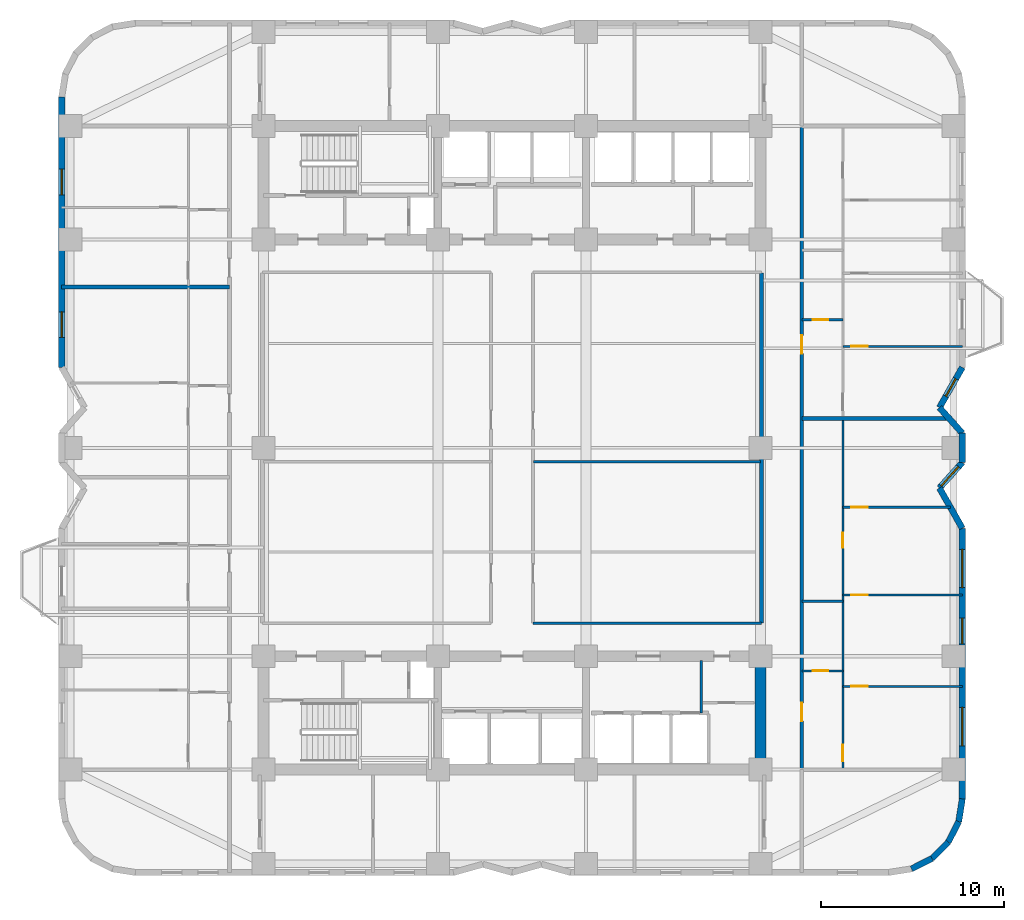
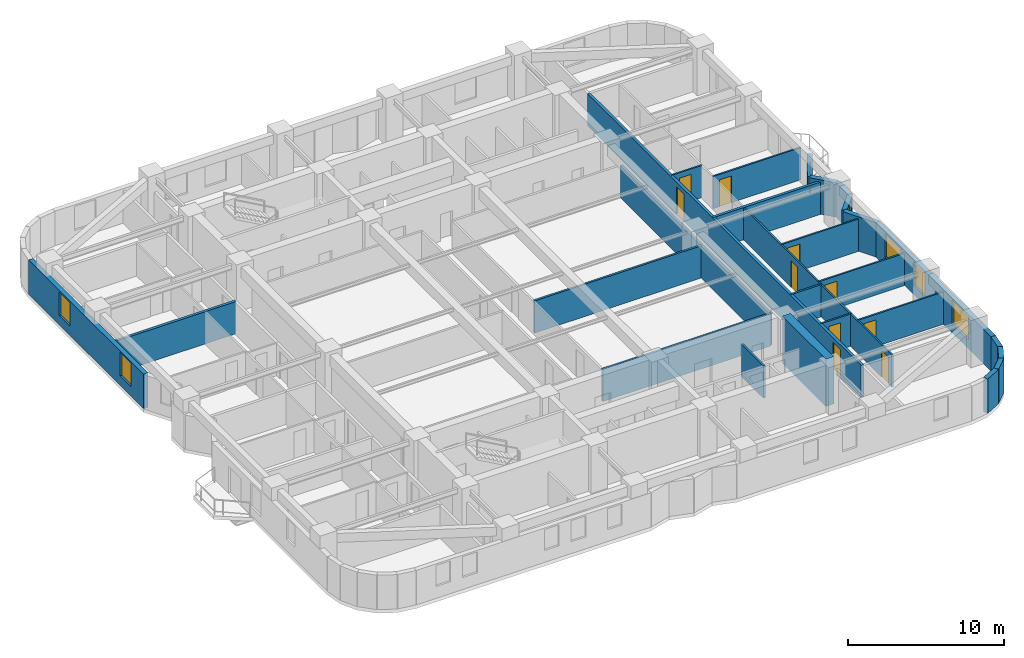
# One storey, part 5 of 9: 27 walls, 10 doors, 7 windows, 17 openings.
"""IFC4 building model written with IfcOpenShell, lengths in metres."""

from ifc_helpers import new_model, si_unit, direction, frame, frame_2d, origin, place, context, subcontext, project, spatial, rectangle, extrude, material, layer, layer_set, type_object, element, fill, save


model = new_model("IFC4")

# Units and contexts
model_context = context("Model", 3, precision=1e-05, world=origin(), true_north=direction((0.0, 1.0)))
body_context = subcontext(model_context, "Body", "Model", "MODEL_VIEW")
ifc_project = project(units=[si_unit("LENGTHUNIT", "METRE"), si_unit("AREAUNIT", "SQUARE_METRE"), si_unit("VOLUMEUNIT", "CUBIC_METRE"), si_unit("PLANEANGLEUNIT", "RADIAN"), si_unit("MASSUNIT", "GRAM", prefix="KILO")], contexts=[model_context])

# Site, building, storey
site_placement = place(None, origin())
site = spatial("IfcSite", under=ifc_project, at=site_placement, CompositionType="ELEMENT")
building_placement = place(site_placement, origin())
building = spatial("IfcBuilding", under=site, at=building_placement, Name="Svetorya Sky Lyceum", CompositionType="ELEMENT")
storey_placement = place(building_placement, frame((0.0, 0.0, 54.699951171875)))
storey = spatial("IfcBuildingStorey", under=building, at=storey_placement, Name="L13", CompositionType="ELEMENT", Elevation=54.699951171875)

# Walls
ifc_material_1 = material(Name="Concrete C60/75", Category="concrete")
ifc_layer_1 = layer(ifc_material_1, 0.60009765625)
ifc_layer_set_1 = layer_set([ifc_layer_1], Name="Concrete C60/75")
wall_type_1 = type_object("IfcWallType", Name="WL-CORE-600", PredefinedType="SHEAR", material=ifc_layer_set_1)
wall_1_placement = place(storey_placement, frame((52.800048828125, 10.89990234375, 0.0), z_axis=(0.0, 0.0, 1.0), x_axis=(0.0, 1.0, 0.0)))
element("IfcWall", 1, at=wall_1_placement, inside=storey, type_object=wall_type_1, Name="L13 SC East Core Shear Wall", PredefinedType="SHEAR", context=body_context, shape_type="SweptSolid", body=[
    extrude(rectangle(XDim=5.60009765625, YDim=0.60009765625, at=frame_2d((2.800048828125, 0.0))), origin(), (0.0, 0.0, 1.0), 3.699951171875),
])
ifc_material_2 = material(Name="Putilovo limestone rainscreen on autoclaved cellular masonry", Category="masonry")
ifc_layer_2 = layer(ifc_material_2, 0.340087890625)
ifc_layer_set_2 = layer_set([ifc_layer_2], Name="Putilovo limestone rainscreen on autoclaved cellular masonry")
wall_type_2 = type_object("IfcWallType", Name="WL-EXT-340", PredefinedType="SOLIDWALL", material=ifc_layer_set_2)
for number, where, z_axis, x_axis, name in (
    (2, (61.04541015625, 5.167236328125, 0.0), (0.0, 0.0, 1.0), (0.890953769915, 0.454094020963, 0.0), "L13 Limestone Exterior Wall 13M"),
    (3, (62.168701171875, 5.73974609375, 0.0), (0.0, 0.0, 1.0), (0.707203598708, 0.707009950407, 0.0), "L13 Limestone Exterior Wall 14M"),
):
    element("IfcWall", number, at=place(storey_placement, frame(where, z_axis=z_axis, x_axis=x_axis)), inside=storey, type_object=wall_type_2, Name=name, PredefinedType="SOLIDWALL", context=body_context, shape_type="SweptSolid", body=[
        extrude(rectangle(XDim=1.2607421875, YDim=0.340087890625, at=frame_2d((0.63037109375, 0.0))), origin(), (0.0, 0.0, 1.0), 2.699951171875),
    ])
for number, where, z_axis, x_axis, name in (
    (4, (63.060302734375, 6.631103515625, 0.0), (0.0, 0.0, 1.0), (0.454015689056, 0.890993689142, 0.0), "L13 Limestone Exterior Wall 15M"),
    (5, (63.6328125, 7.754638671875, 0.0), (0.0, 0.0, 1.0), (0.15644975923, 0.987685918112, 0.0), "L13 Limestone Exterior Wall 16M"),
):
    element("IfcWall", number, at=place(storey_placement, frame(where, z_axis=z_axis, x_axis=x_axis)), inside=storey, type_object=wall_type_2, Name=name, PredefinedType="SOLIDWALL", context=body_context, shape_type="SweptSolid", body=[
        extrude(rectangle(XDim=1.260986328125, YDim=0.340087890625, at=frame_2d((0.63037109375, 0.0))), origin(), (0.0, 0.0, 1.0), 2.699951171875),
    ])

# Wall, openings, windows
wall_2_placement = place(storey_placement, frame((63.830078125, 9.0, 0.0), z_axis=(0.0, 0.0, 1.0), x_axis=(0.0, 1.0, 0.0)))
wall_2 = element("IfcWall", 6, at=wall_2_placement, inside=storey, type_object=wall_type_2, Name="L13 Limestone Exterior Wall 17M", PredefinedType="SOLIDWALL", context=body_context, shape_type="SweptSolid", body=[
    extrude(rectangle(XDim=14.800048828125, YDim=0.340087890625, at=frame_2d((7.39990234375, 0.0))), origin(), (0.0, 0.0, 1.0), 2.699951171875),
])
opening_1_placement = place(wall_2_placement, frame((2.89990234375, 0.0, 0.679931640625)))
opening_1 = element("IfcOpeningElement", 7, at=opening_1_placement, cuts=wall_2, Name="Opening W-R0", PredefinedType="OPENING", context=body_context, shape_type="SweptSolid", body=[
    extrude(rectangle(XDim=2.10009765625, YDim=1.89990234375, at=frame_2d((1.050048828125, 0.949951171875))), frame((0.0, 0.179931640625, 0.0), z_axis=(0.0, -1.0, 0.0), x_axis=(1.0, 0.0, 0.0)), (0.0, 0.0, 1.0), 0.360107421875),
])
opening_2_placement = place(wall_2_placement, frame((8.47998046875, 0.0, 0.68994140625)))
opening_2 = element("IfcOpeningElement", 8, at=opening_2_placement, cuts=wall_2, Name="Opening W-R2", PredefinedType="OPENING", context=body_context, shape_type="SweptSolid", body=[
    extrude(rectangle(XDim=1.39990234375, YDim=1.85009765625, at=frame_2d((0.699951171875, 0.925048828125))), frame((0.0, 0.179931640625, 0.0), z_axis=(0.0, -1.0, 0.0), x_axis=(1.0, 0.0, 0.0)), (0.0, 0.0, 1.0), 0.360107421875),
])
opening_3_placement = place(wall_2_placement, frame((11.550048828125, 0.0, 0.679931640625)))
opening_3 = element("IfcOpeningElement", 9, at=opening_3_placement, cuts=wall_2, Name="Opening W-R0", PredefinedType="OPENING", context=body_context, shape_type="SweptSolid", body=[
    extrude(rectangle(XDim=2.10009765625, YDim=1.89990234375, at=frame_2d((1.050048828125, 0.949951171875))), frame((0.0, 0.179931640625, 0.0), z_axis=(0.0, -1.0, 0.0), x_axis=(1.0, 0.0, 0.0)), (0.0, 0.0, 1.0), 0.360107421875),
])
ifc_material_3 = material(Name="Thermally broken aluminium frame with triple low-E glazing", Category="aluminium")
window_type_1 = type_object("IfcWindowType", Name="WN-RES-140", PartitioningType="SINGLE_PANEL", PredefinedType="WINDOW", material=ifc_material_3)
window_1_placement = place(opening_2_placement, origin())
window_1 = element("IfcWindow", 10, at=window_1_placement, inside=storey, type_object=window_type_1, Name="L13 Facade Window W-R2.17M.3", OverallHeight=1.85009765625, OverallWidth=1.39990234375, PartitioningType="SINGLE_PANEL", PredefinedType="WINDOW", context=body_context, shape_type="SweptSolid", body=[
    extrude(rectangle(XDim=1.39990234375, YDim=1.85009765625, at=frame_2d((0.699951171875, 0.925048828125))), frame((0.0, 0.030029296875, 0.0), z_axis=(0.0, -1.0, 0.0), x_axis=(1.0, 0.0, 0.0)), (0.0, 0.0, 1.0), 0.06005859375),
])
fill(opening_2, window_1)
window_type_2 = type_object("IfcWindowType", Name="WN-RES-210", PartitioningType="TRIPLE_PANEL_VERTICAL", PredefinedType="WINDOW", material=ifc_material_3)
window_2_placement = place(opening_1_placement, origin())
window_2 = element("IfcWindow", 11, at=window_2_placement, inside=storey, type_object=window_type_2, Name="L13 Facade Window W-R0.17M.1", OverallHeight=1.89990234375, OverallWidth=2.10009765625, PartitioningType="SINGLE_PANEL", PredefinedType="WINDOW", context=body_context, shape_type="SweptSolid", body=[
    extrude(rectangle(XDim=2.10009765625, YDim=1.89990234375, at=frame_2d((1.050048828125, 0.949951171875))), frame((0.0, 0.030029296875, 0.0), z_axis=(0.0, -1.0, 0.0), x_axis=(1.0, 0.0, 0.0)), (0.0, 0.0, 1.0), 0.06005859375),
])
fill(opening_1, window_2)
window_3_placement = place(opening_3_placement, origin())
window_3 = element("IfcWindow", 12, at=window_3_placement, inside=storey, type_object=window_type_2, Name="L13 Facade Window W-R0.17M.2", OverallHeight=1.89990234375, OverallWidth=2.10009765625, PartitioningType="SINGLE_PANEL", PredefinedType="WINDOW", context=body_context, shape_type="SweptSolid", body=[
    extrude(rectangle(XDim=2.10009765625, YDim=1.89990234375, at=frame_2d((1.050048828125, 0.949951171875))), frame((0.0, 0.030029296875, 0.0), z_axis=(0.0, -1.0, 0.0), x_axis=(1.0, 0.0, 0.0)), (0.0, 0.0, 1.0), 0.06005859375),
])
fill(opening_3, window_3)

# Wall
wall_3_placement = place(storey_placement, frame((63.830078125, 23.800048828125, 0.0), z_axis=(0.0, 0.0, 1.0), x_axis=(-0.494017696272, 0.869451847873, 0.0)))
element("IfcWall", 13, at=wall_3_placement, inside=storey, type_object=wall_type_2, Name="L13 Limestone Exterior Wall 18M", PredefinedType="SOLIDWALL", context=body_context, shape_type="SweptSolid", body=[
    extrude(rectangle(XDim=2.5302734375, YDim=0.340087890625, at=frame_2d((1.26513671875, 0.0))), origin(), (0.0, 0.0, 1.0), 2.699951171875),
])

# Wall, opening, window
wall_4_placement = place(storey_placement, frame((62.580078125, 26.0, 0.0), z_axis=(0.0, 0.0, 1.0), x_axis=(0.666041619974, 0.74591457987, 0.0)))
wall_4 = element("IfcWall", 14, at=wall_4_placement, inside=storey, type_object=wall_type_2, Name="L13 Limestone Exterior Wall 19M", PredefinedType="SOLIDWALL", context=body_context, shape_type="SweptSolid", body=[
    extrude(rectangle(XDim=1.876708984375, YDim=0.340087890625, at=frame_2d((0.9384765625, 0.0))), origin(), (0.0, 0.0, 1.0), 2.699951171875),
])
opening_4_placement = place(wall_4_placement, frame((0.159912109375, 0.0, 0.68994140625)))
opening_4 = element("IfcOpeningElement", 15, at=opening_4_placement, cuts=wall_4, Name="Opening W-R2", PredefinedType="OPENING", context=body_context, shape_type="SweptSolid", body=[
    extrude(rectangle(XDim=1.39990234375, YDim=1.85009765625, at=frame_2d((0.699951171875, 0.925048828125))), frame((0.0, 0.179931640625, 0.0), z_axis=(0.0, -1.0, 0.0), x_axis=(1.0, 0.0, 0.0)), (0.0, 0.0, 1.0), 0.360107421875),
])
window_4_placement = place(opening_4_placement, origin())
window_4 = element("IfcWindow", 16, at=window_4_placement, inside=storey, type_object=window_type_1, Name="L13 Facade Window W-R2.19M.1", OverallHeight=1.85009765625, OverallWidth=1.39990234375, PartitioningType="SINGLE_PANEL", PredefinedType="WINDOW", context=body_context, shape_type="SweptSolid", body=[
    extrude(rectangle(XDim=1.39990234375, YDim=1.85009765625, at=frame_2d((0.699951171875, 0.925048828125))), frame((0.0, 0.030029296875, 0.0), z_axis=(0.0, -1.0, 0.0), x_axis=(1.0, 0.0, 0.0)), (0.0, 0.0, 1.0), 0.06005859375),
])
fill(opening_4, window_4)

# Walls
wall_5_placement = place(storey_placement, frame((63.830078125, 27.39990234375, 0.0), z_axis=(0.0, 0.0, 1.0), x_axis=(0.0, 1.0, 0.0)))
element("IfcWall", 17, at=wall_5_placement, inside=storey, type_object=wall_type_2, Name="L13 Limestone Exterior Wall 20M", PredefinedType="SOLIDWALL", context=body_context, shape_type="SweptSolid", body=[
    extrude(rectangle(XDim=1.60009765625, YDim=0.340087890625, at=frame_2d((0.800048828125, 0.0))), origin(), (0.0, 0.0, 1.0), 2.699951171875),
])
wall_6_placement = place(storey_placement, frame((63.830078125, 29.0, 0.0), z_axis=(0.0, 0.0, 1.0), x_axis=(-0.666041619974, 0.74591457987, 0.0)))
element("IfcWall", 18, at=wall_6_placement, inside=storey, type_object=wall_type_2, Name="L13 Limestone Exterior Wall 21M", PredefinedType="SOLIDWALL", context=body_context, shape_type="SweptSolid", body=[
    extrude(rectangle(XDim=1.876708984375, YDim=0.340087890625, at=frame_2d((0.9384765625, 0.0))), origin(), (0.0, 0.0, 1.0), 2.699951171875),
])

# Wall, opening, window
wall_7_placement = place(storey_placement, frame((62.580078125, 30.39990234375, 0.0), z_axis=(0.0, 0.0, 1.0), x_axis=(0.493976255291, 0.869475393101, 0.0)))
wall_7 = element("IfcWall", 19, at=wall_7_placement, inside=storey, type_object=wall_type_2, Name="L13 Limestone Exterior Wall 22M", PredefinedType="SOLIDWALL", context=body_context, shape_type="SweptSolid", body=[
    extrude(rectangle(XDim=2.530517578125, YDim=0.340087890625, at=frame_2d((1.26513671875, 0.0))), origin(), (0.0, 0.0, 1.0), 2.699951171875),
])
opening_5_placement = place(wall_7_placement, frame((0.715087890625, 0.0, 0.889892578125)))
opening_5 = element("IfcOpeningElement", 20, at=opening_5_placement, cuts=wall_7, Name="Opening W-R3", PredefinedType="OPENING", context=body_context, shape_type="SweptSolid", body=[
    extrude(rectangle(XDim=1.10009765625, YDim=1.64990234375, at=frame_2d((0.550048828125, 0.824951171875))), frame((0.0, 0.179931640625, 0.0), z_axis=(0.0, -1.0, 0.0), x_axis=(1.0, 0.0, 0.0)), (0.0, 0.0, 1.0), 0.360107421875),
])
window_type_3 = type_object("IfcWindowType", Name="WN-RES-110", PartitioningType="SINGLE_PANEL", PredefinedType="WINDOW", material=ifc_material_3)
window_5_placement = place(opening_5_placement, origin())
window_5 = element("IfcWindow", 21, at=window_5_placement, inside=storey, type_object=window_type_3, Name="L13 Facade Window W-R3.22M.1", OverallHeight=1.64990234375, OverallWidth=1.10009765625, PartitioningType="SINGLE_PANEL", PredefinedType="WINDOW", context=body_context, shape_type="SweptSolid", body=[
    extrude(rectangle(XDim=1.10009765625, YDim=1.64990234375, at=frame_2d((0.550048828125, 0.824951171875))), frame((0.0, 0.030029296875, 0.0), z_axis=(0.0, -1.0, 0.0), x_axis=(1.0, 0.0, 0.0)), (0.0, 0.0, 1.0), 0.06005859375),
])
fill(opening_5, window_5)

# Wall, openings, windows
wall_8_placement = place(storey_placement, frame((14.570068359375, 47.39990234375, 0.0), z_axis=(0.0, 0.0, 1.0), x_axis=(0.0, -1.0, 0.0)))
wall_8 = element("IfcWall", 22, at=wall_8_placement, inside=storey, type_object=wall_type_2, Name="L13 Limestone Exterior Wall 40M", PredefinedType="SOLIDWALL", context=body_context, shape_type="SweptSolid", body=[
    extrude(rectangle(XDim=14.7998046875, YDim=0.340087890625, at=frame_2d((7.39990234375, 0.0))), origin(), (0.0, 0.0, 1.0), 2.699951171875),
])
opening_6_placement = place(wall_8_placement, frame((3.96240234375, 0.0, 0.72998046875)))
opening_6 = element("IfcOpeningElement", 23, at=opening_6_placement, cuts=wall_8, Name="Opening W-R2", PredefinedType="OPENING", context=body_context, shape_type="SweptSolid", body=[
    extrude(rectangle(XDim=1.39990234375, YDim=1.85009765625, at=frame_2d((0.699951171875, 0.925048828125))), frame((0.0, 0.179931640625, 0.0), z_axis=(0.0, -1.0, 0.0), x_axis=(1.0, 0.0, 0.0)), (0.0, 0.0, 1.0), 0.360107421875),
])
opening_7_placement = place(wall_8_placement, frame((11.762451171875, 0.0, 0.72998046875)))
opening_7 = element("IfcOpeningElement", 24, at=opening_7_placement, cuts=wall_8, Name="Opening W-R2", PredefinedType="OPENING", context=body_context, shape_type="SweptSolid", body=[
    extrude(rectangle(XDim=1.39990234375, YDim=1.85009765625, at=frame_2d((0.699951171875, 0.925048828125))), frame((0.0, 0.179931640625, 0.0), z_axis=(0.0, -1.0, 0.0), x_axis=(1.0, 0.0, 0.0)), (0.0, 0.0, 1.0), 0.360107421875),
])
window_6_placement = place(opening_6_placement, origin())
window_6 = element("IfcWindow", 25, at=window_6_placement, inside=storey, type_object=window_type_1, Name="L13 Facade Window W-R2.40M.1", OverallHeight=1.85009765625, OverallWidth=1.39990234375, PartitioningType="SINGLE_PANEL", PredefinedType="WINDOW", context=body_context, shape_type="SweptSolid", body=[
    extrude(rectangle(XDim=1.39990234375, YDim=1.85009765625, at=frame_2d((0.699951171875, 0.925048828125))), frame((0.0, 0.030029296875, 0.0), z_axis=(0.0, -1.0, 0.0), x_axis=(1.0, 0.0, 0.0)), (0.0, 0.0, 1.0), 0.06005859375),
])
fill(opening_6, window_6)
window_7_placement = place(opening_7_placement, origin())
window_7 = element("IfcWindow", 26, at=window_7_placement, inside=storey, type_object=window_type_1, Name="L13 Facade Window W-R2.40M.2", OverallHeight=1.85009765625, OverallWidth=1.39990234375, PartitioningType="SINGLE_PANEL", PredefinedType="WINDOW", context=body_context, shape_type="SweptSolid", body=[
    extrude(rectangle(XDim=1.39990234375, YDim=1.85009765625, at=frame_2d((0.699951171875, 0.925048828125))), frame((0.0, 0.030029296875, 0.0), z_axis=(0.0, -1.0, 0.0), x_axis=(1.0, 0.0, 0.0)), (0.0, 0.0, 1.0), 0.06005859375),
])
fill(opening_7, window_7)

# Wall, opening, door
ifc_material_4 = material(Name="Twin-stud galvanized framing with double fireboard", Category="gypsum")
ifc_layer_3 = layer(ifc_material_4, 0.1201171875)
ifc_layer_set_3 = layer_set([ifc_layer_3], Name="Twin-stud galvanized framing with double fireboard")
wall_type_3 = type_object("IfcWallType", Name="WL-PART-120", PredefinedType="PARTITIONING", material=ifc_layer_set_3)
wall_9_placement = place(storey_placement, frame((55.050048828125, 16.0, 0.0), z_axis=(0.0, 0.0, 1.0), x_axis=(1.0, 0.0, 0.0)))
wall_9 = element("IfcWall", 27, at=wall_9_placement, inside=storey, type_object=wall_type_3, Name="L13 Interior Partition E1-WH1", PredefinedType="PARTITIONING", context=body_context, shape_type="SweptSolid", body=[
    extrude(rectangle(XDim=2.25, YDim=0.1201171875, at=frame_2d((1.125, 0.0))), origin(), (0.0, 0.0, 1.0), 2.530029296875),
])
opening_8_placement = place(wall_9_placement, frame((0.60009765625, 0.0, 0.0)))
opening_8 = element("IfcOpeningElement", 28, at=opening_8_placement, cuts=wall_9, Name="Opening D-BT1", PredefinedType="OPENING", context=body_context, shape_type="SweptSolid", body=[
    extrude(rectangle(XDim=0.85009765625, YDim=2.10009765625, at=frame_2d((0.425048828125, 1.050048828125))), frame((0.0, 0.070068359375, 0.0), z_axis=(0.0, -1.0, 0.0), x_axis=(1.0, 0.0, 0.0)), (0.0, 0.0, 1.0), 0.14013671875),
])
ifc_material_5 = material(Name="Moisture-resistant laminate bathroom door")
door_type_1 = type_object("IfcDoorType", Name="DR-WET-850", OperationType="SINGLE_SWING_LEFT", PredefinedType="DOOR", material=ifc_material_5)
door_1_placement = place(opening_8_placement, origin())
door_1 = element("IfcDoor", 29, at=door_1_placement, inside=storey, type_object=door_type_1, Name="Apartment E1 Bathroom Door", OperationType="SINGLE_SWING_RIGHT", OverallHeight=2.10009765625, OverallWidth=0.85009765625, PredefinedType="DOOR", context=body_context, shape_type="SweptSolid", body=[
    extrude(rectangle(XDim=0.85009765625, YDim=2.10009765625, at=frame_2d((0.425048828125, 1.050048828125))), frame((0.0, 0.02490234375, 0.0), z_axis=(0.0, -1.0, 0.0), x_axis=(1.0, 0.0, 0.0)), (0.0, 0.0, 1.0), 0.050048828125),
])
fill(opening_8, door_1)

wall_10_placement = place(storey_placement, frame((57.300048828125, 15.14990234375, 0.0), z_axis=(0.0, 0.0, 1.0), x_axis=(1.0, 0.0, 0.0)))
wall_10 = element("IfcWall", 30, at=wall_10_placement, inside=storey, type_object=wall_type_3, Name="L13 Interior Partition E1-WL1", PredefinedType="PARTITIONING", context=body_context, shape_type="SweptSolid", body=[
    extrude(rectangle(XDim=6.530029296875, YDim=0.1201171875, at=frame_2d((3.26513671875, 0.0))), origin(), (0.0, 0.0, 1.0), 2.530029296875),
])
opening_9_placement = place(wall_10_placement, frame((0.449951171875, 0.0, 0.0)))
opening_9 = element("IfcOpeningElement", 31, at=opening_9_placement, cuts=wall_10, Name="Opening D-RM1", PredefinedType="OPENING", context=body_context, shape_type="SweptSolid", body=[
    extrude(rectangle(XDim=0.89990234375, YDim=2.10009765625, at=frame_2d((0.449951171875, 1.050048828125))), frame((0.0, 0.070068359375, 0.0), z_axis=(0.0, -1.0, 0.0), x_axis=(1.0, 0.0, 0.0)), (0.0, 0.0, 1.0), 0.14013671875),
])
ifc_material_6 = material(Name="Lacquered birch veneer internal door")
door_type_2 = type_object("IfcDoorType", Name="DR-INT-900", OperationType="SINGLE_SWING_LEFT", PredefinedType="DOOR", material=ifc_material_6)
door_2_placement = place(opening_9_placement, origin())
door_2 = element("IfcDoor", 32, at=door_2_placement, inside=storey, type_object=door_type_2, Name="Apartment E1 Master Bedroom Door", OperationType="SINGLE_SWING_RIGHT", OverallHeight=2.10009765625, OverallWidth=0.89990234375, PredefinedType="DOOR", context=body_context, shape_type="SweptSolid", body=[
    extrude(rectangle(XDim=0.89990234375, YDim=2.10009765625, at=frame_2d((0.449951171875, 1.050048828125))), frame((0.0, 0.02490234375, 0.0), z_axis=(0.0, -1.0, 0.0), x_axis=(1.0, 0.0, 0.0)), (0.0, 0.0, 1.0), 0.050048828125),
])
fill(opening_9, door_2)

wall_11_placement = place(storey_placement, frame((57.300048828125, 20.14990234375, 0.0), z_axis=(0.0, 0.0, 1.0), x_axis=(1.0, 0.0, 0.0)))
wall_11 = element("IfcWall", 33, at=wall_11_placement, inside=storey, type_object=wall_type_3, Name="L13 Interior Partition E1-WL2", PredefinedType="PARTITIONING", context=body_context, shape_type="SweptSolid", body=[
    extrude(rectangle(XDim=6.530029296875, YDim=0.1201171875, at=frame_2d((3.26513671875, 0.0))), origin(), (0.0, 0.0, 1.0), 2.530029296875),
])
opening_10_placement = place(wall_11_placement, frame((0.449951171875, 0.0, 0.0)))
opening_10 = element("IfcOpeningElement", 34, at=opening_10_placement, cuts=wall_11, Name="Opening D-RM1", PredefinedType="OPENING", context=body_context, shape_type="SweptSolid", body=[
    extrude(rectangle(XDim=0.89990234375, YDim=2.10009765625, at=frame_2d((0.449951171875, 1.050048828125))), frame((0.0, 0.070068359375, 0.0), z_axis=(0.0, -1.0, 0.0), x_axis=(1.0, 0.0, 0.0)), (0.0, 0.0, 1.0), 0.14013671875),
])
door_3_placement = place(opening_10_placement, origin())
door_3 = element("IfcDoor", 35, at=door_3_placement, inside=storey, type_object=door_type_2, Name="Apartment E1 Bedroom 2 Door", OperationType="SINGLE_SWING_LEFT", OverallHeight=2.10009765625, OverallWidth=0.89990234375, PredefinedType="DOOR", context=body_context, shape_type="SweptSolid", body=[
    extrude(rectangle(XDim=0.89990234375, YDim=2.10009765625, at=frame_2d((0.449951171875, 1.050048828125))), frame((0.0, 0.02490234375, 0.0), z_axis=(0.0, -1.0, 0.0), x_axis=(1.0, 0.0, 0.0)), (0.0, 0.0, 1.0), 0.050048828125),
])
fill(opening_10, door_3)

wall_12_placement = place(storey_placement, frame((57.300048828125, 24.949951171875, 0.0), z_axis=(0.0, 0.0, 1.0), x_axis=(1.0, 0.0, 0.0)))
wall_12 = element("IfcWall", 36, at=wall_12_placement, inside=storey, type_object=wall_type_3, Name="L13 Interior Partition E1-WL3", PredefinedType="PARTITIONING", context=body_context, shape_type="SweptSolid", body=[
    extrude(rectangle(XDim=5.87646484375, YDim=0.1201171875, at=frame_2d((2.938232421875, 0.0))), origin(), (0.0, 0.0, 1.0), 2.530029296875),
])
opening_11_placement = place(wall_12_placement, frame((0.449951171875, 0.0, 0.0)))
opening_11 = element("IfcOpeningElement", 37, at=opening_11_placement, cuts=wall_12, Name="Opening D-RM1", PredefinedType="OPENING", context=body_context, shape_type="SweptSolid", body=[
    extrude(rectangle(XDim=0.89990234375, YDim=2.10009765625, at=frame_2d((0.449951171875, 1.050048828125))), frame((0.0, 0.070068359375, 0.0), z_axis=(0.0, -1.0, 0.0), x_axis=(1.0, 0.0, 0.0)), (0.0, 0.0, 1.0), 0.14013671875),
])
door_4_placement = place(opening_11_placement, origin())
door_4 = element("IfcDoor", 38, at=door_4_placement, inside=storey, type_object=door_type_2, Name="Apartment E1 Bedroom 3 Door", OperationType="SINGLE_SWING_RIGHT", OverallHeight=2.10009765625, OverallWidth=0.89990234375, PredefinedType="DOOR", context=body_context, shape_type="SweptSolid", body=[
    extrude(rectangle(XDim=0.89990234375, YDim=2.10009765625, at=frame_2d((0.449951171875, 1.050048828125))), frame((0.0, 0.02490234375, 0.0), z_axis=(0.0, -1.0, 0.0), x_axis=(1.0, 0.0, 0.0)), (0.0, 0.0, 1.0), 0.050048828125),
])
fill(opening_11, door_4)

# Wall, openings, doors
wall_13_placement = place(storey_placement, frame((57.300048828125, 10.639892578125, 0.0), z_axis=(0.0, 0.0, 1.0), x_axis=(0.0, 1.0, 0.0)))
wall_13 = element("IfcWall", 39, at=wall_13_placement, inside=storey, type_object=wall_type_3, Name="L13 Interior Partition E1-WV", PredefinedType="PARTITIONING", context=body_context, shape_type="SweptSolid", body=[
    extrude(rectangle(XDim=19.1201171875, YDim=0.1201171875, at=frame_2d((9.56005859375, 0.0))), origin(), (0.0, 0.0, 1.0), 2.530029296875),
])
opening_12_placement = place(wall_13_placement, frame((0.409912109375, 0.0, 0.0)))
opening_12 = element("IfcOpeningElement", 40, at=opening_12_placement, cuts=wall_13, Name="Opening D-RM1", PredefinedType="OPENING", context=body_context, shape_type="SweptSolid", body=[
    extrude(rectangle(XDim=0.89990234375, YDim=2.10009765625, at=frame_2d((0.449951171875, 1.050048828125))), frame((0.0, 0.070068359375, 0.0), z_axis=(0.0, -1.0, 0.0), x_axis=(1.0, 0.0, 0.0)), (0.0, 0.0, 1.0), 0.14013671875),
])
opening_13_placement = place(wall_13_placement, frame((12.10498046875, 0.0, 0.0)))
opening_13 = element("IfcOpeningElement", 41, at=opening_13_placement, cuts=wall_13, Name="Opening D-BT2", PredefinedType="OPENING", context=body_context, shape_type="SweptSolid", body=[
    extrude(rectangle(XDim=0.820068359375, YDim=2.080078125, at=frame_2d((0.41015625, 1.0400390625))), frame((0.0, 0.070068359375, 0.0), z_axis=(0.0, -1.0, 0.0), x_axis=(1.0, 0.0, 0.0)), (0.0, 0.0, 1.0), 0.14013671875),
])
door_5_placement = place(opening_12_placement, origin())
door_5 = element("IfcDoor", 42, at=door_5_placement, inside=storey, type_object=door_type_2, Name="Apartment E1 Living Door", OperationType="SINGLE_SWING_LEFT", OverallHeight=2.10009765625, OverallWidth=0.89990234375, PredefinedType="DOOR", context=body_context, shape_type="SweptSolid", body=[
    extrude(rectangle(XDim=0.89990234375, YDim=2.10009765625, at=frame_2d((0.449951171875, 1.050048828125))), frame((0.0, 0.02490234375, 0.0), z_axis=(0.0, -1.0, 0.0), x_axis=(1.0, 0.0, 0.0)), (0.0, 0.0, 1.0), 0.050048828125),
])
fill(opening_12, door_5)
ifc_material_7 = material(Name="Compact moisture-resistant laminate closet door")
door_type_3 = type_object("IfcDoorType", Name="DR-WET-820", OperationType="SINGLE_SWING_LEFT", PredefinedType="DOOR", material=ifc_material_7)
door_6_placement = place(opening_13_placement, origin())
door_6 = element("IfcDoor", 43, at=door_6_placement, inside=storey, type_object=door_type_3, Name="Apartment E1 Study Door", OperationType="SINGLE_SWING_RIGHT", OverallHeight=2.080078125, OverallWidth=0.820068359375, PredefinedType="DOOR", context=body_context, shape_type="SweptSolid", body=[
    extrude(rectangle(XDim=0.820068359375, YDim=2.080078125, at=frame_2d((0.41015625, 1.0400390625))), frame((0.0, 0.02490234375, 0.0), z_axis=(0.0, -1.0, 0.0), x_axis=(1.0, 0.0, 0.0)), (0.0, 0.0, 1.0), 0.050048828125),
])
fill(opening_13, door_6)

# Wall, opening, door
wall_14_placement = place(storey_placement, frame((55.050048828125, 35.199951171875, 0.0), z_axis=(0.0, 0.0, 1.0), x_axis=(1.0, 0.0, 0.0)))
wall_14 = element("IfcWall", 44, at=wall_14_placement, inside=storey, type_object=wall_type_3, Name="L13 Interior Partition E2-WH1", PredefinedType="PARTITIONING", context=body_context, shape_type="SweptSolid", body=[
    extrude(rectangle(XDim=2.25, YDim=0.1201171875, at=frame_2d((1.125, 0.0))), origin(), (0.0, 0.0, 1.0), 2.530029296875),
])
opening_14_placement = place(wall_14_placement, frame((0.60009765625, 0.0, 0.0)))
opening_14 = element("IfcOpeningElement", 45, at=opening_14_placement, cuts=wall_14, Name="Opening D-BT1", PredefinedType="OPENING", context=body_context, shape_type="SweptSolid", body=[
    extrude(rectangle(XDim=0.85009765625, YDim=2.10009765625, at=frame_2d((0.425048828125, 1.050048828125))), frame((0.0, 0.070068359375, 0.0), z_axis=(0.0, -1.0, 0.0), x_axis=(1.0, 0.0, 0.0)), (0.0, 0.0, 1.0), 0.14013671875),
])
door_7_placement = place(opening_14_placement, origin())
door_7 = element("IfcDoor", 46, at=door_7_placement, inside=storey, type_object=door_type_1, Name="Apartment E2 Bathroom Door", OperationType="SINGLE_SWING_LEFT", OverallHeight=2.10009765625, OverallWidth=0.85009765625, PredefinedType="DOOR", context=body_context, shape_type="SweptSolid", body=[
    extrude(rectangle(XDim=0.85009765625, YDim=2.10009765625, at=frame_2d((0.425048828125, 1.050048828125))), frame((0.0, 0.02490234375, 0.0), z_axis=(0.0, -1.0, 0.0), x_axis=(1.0, 0.0, 0.0)), (0.0, 0.0, 1.0), 0.050048828125),
])
fill(opening_14, door_7)

wall_15_placement = place(storey_placement, frame((57.300048828125, 33.75, 0.0), z_axis=(0.0, 0.0, 1.0), x_axis=(1.0, 0.0, 0.0)))
wall_15 = element("IfcWall", 47, at=wall_15_placement, inside=storey, type_object=wall_type_3, Name="L13 Interior Partition E2-WL1", PredefinedType="PARTITIONING", context=body_context, shape_type="SweptSolid", body=[
    extrude(rectangle(XDim=6.530029296875, YDim=0.1201171875, at=frame_2d((3.26513671875, 0.0))), origin(), (0.0, 0.0, 1.0), 2.530029296875),
])
opening_15_placement = place(wall_15_placement, frame((0.449951171875, 0.0, 0.0)))
opening_15 = element("IfcOpeningElement", 48, at=opening_15_placement, cuts=wall_15, Name="Opening D-RM1", PredefinedType="OPENING", context=body_context, shape_type="SweptSolid", body=[
    extrude(rectangle(XDim=0.89990234375, YDim=2.10009765625, at=frame_2d((0.449951171875, 1.050048828125))), frame((0.0, 0.070068359375, 0.0), z_axis=(0.0, -1.0, 0.0), x_axis=(1.0, 0.0, 0.0)), (0.0, 0.0, 1.0), 0.14013671875),
])
door_8_placement = place(opening_15_placement, origin())
door_8 = element("IfcDoor", 49, at=door_8_placement, inside=storey, type_object=door_type_2, Name="Apartment E2 Master Bedroom Door", OperationType="SINGLE_SWING_LEFT", OverallHeight=2.10009765625, OverallWidth=0.89990234375, PredefinedType="DOOR", context=body_context, shape_type="SweptSolid", body=[
    extrude(rectangle(XDim=0.89990234375, YDim=2.10009765625, at=frame_2d((0.449951171875, 1.050048828125))), frame((0.0, 0.02490234375, 0.0), z_axis=(0.0, -1.0, 0.0), x_axis=(1.0, 0.0, 0.0)), (0.0, 0.0, 1.0), 0.050048828125),
])
fill(opening_15, door_8)

# Walls
ifc_material_8 = material(Name="Twin-stud galvanized framing with acoustic board", Category="gypsum")
ifc_layer_4 = layer(ifc_material_8, 0.135009765625)
ifc_layer_set_4 = layer_set([ifc_layer_4], Name="Twin-stud galvanized framing with acoustic board")
wall_type_4 = type_object("IfcWallType", Name="WL-PART-135", PredefinedType="PARTITIONING", material=ifc_layer_set_4)
wall_16_placement = place(storey_placement, frame((55.050048828125, 19.800048828125, 0.0), z_axis=(0.0, 0.0, 1.0), x_axis=(1.0, 0.0, 0.0)))
element("IfcWall", 50, at=wall_16_placement, inside=storey, type_object=wall_type_4, Name="L13 Interior Partition E1-WH2", PredefinedType="PARTITIONING", context=body_context, shape_type="SweptSolid", body=[
    extrude(rectangle(XDim=2.25, YDim=0.135009765625, at=frame_2d((1.125, 0.0))), origin(), (0.0, 0.0, 1.0), 2.530029296875),
])
ifc_material_9 = material(Name="Autoclaved cellular masonry blockwork with acoustic render", Category="masonry")
ifc_layer_5 = layer(ifc_material_9, 0.14990234375)
ifc_layer_set_5 = layer_set([ifc_layer_5], Name="Autoclaved cellular masonry blockwork with acoustic render")
wall_type_5 = type_object("IfcWallType", Name="WL-PART-150", PredefinedType="PARTITIONING", material=ifc_layer_set_5)
wall_17_placement = place(storey_placement, frame((49.550048828125, 13.699951171875, 0.0), z_axis=(0.0, 0.0, 1.0), x_axis=(0.0, 1.0, 0.0)))
element("IfcWall", 51, at=wall_17_placement, inside=storey, type_object=wall_type_5, Name="L13 Interior Partition SC-AUX-V", PredefinedType="PARTITIONING", context=body_context, shape_type="SweptSolid", body=[
    extrude(rectangle(XDim=2.880126953125, YDim=0.14990234375, at=frame_2d((1.43994140625, 0.0))), origin(), (0.0, 0.0, 1.0), 2.530029296875),
])
wall_18_placement = place(storey_placement, frame((40.35009765625, 18.60009765625, 0.0), z_axis=(0.0, 0.0, 1.0), x_axis=(1.0, 0.0, 0.0)))
element("IfcWall", 52, at=wall_18_placement, inside=storey, type_object=wall_type_5, Name="L13 Interior Partition CS-MID-E", PredefinedType="PARTITIONING", context=body_context, shape_type="SweptSolid", body=[
    extrude(rectangle(XDim=12.5, YDim=0.14990234375, at=frame_2d((6.25, 0.0))), origin(), (0.0, 0.0, 1.0), 2.530029296875),
])
wall_19_placement = place(storey_placement, frame((40.3798828125, 27.434326171875, 0.0), z_axis=(0.0, 0.0, 1.0), x_axis=(1.0, 0.0, 0.0)))
element("IfcWall", 53, at=wall_19_placement, inside=storey, type_object=wall_type_5, Name="L13 Interior Partition CEN-HE", PredefinedType="PARTITIONING", context=body_context, shape_type="SweptSolid", body=[
    extrude(rectangle(XDim=12.420166015625, YDim=0.14990234375, at=frame_2d((6.2099609375, 0.0))), origin(), (0.0, 0.0, 1.0), 2.530029296875),
])
ifc_material_10 = material(Name="Autoclaved cellular masonry blockwork with gypsum plaster", Category="masonry")
ifc_layer_6 = layer(ifc_material_10, 0.199951171875)
ifc_layer_set_6 = layer_set([ifc_layer_6], Name="Autoclaved cellular masonry blockwork with gypsum plaster")
wall_type_6 = type_object("IfcWallType", Name="WL-PART-200", PredefinedType="PARTITIONING", material=ifc_layer_set_6)
wall_20_placement = place(storey_placement, frame((52.85009765625, 18.6298828125, 0.0), z_axis=(0.0, 0.0, 1.0), x_axis=(0.0, 1.0, 0.0)))
element("IfcWall", 54, at=wall_20_placement, inside=storey, type_object=wall_type_6, Name="L13 Interior Partition E-CEN-SEP", PredefinedType="PARTITIONING", context=body_context, shape_type="SweptSolid", body=[
    extrude(rectangle(XDim=19.14013671875, YDim=0.199951171875, at=frame_2d((9.570068359375, 0.0))), origin(), (0.0, 0.0, 1.0), 2.530029296875),
])
wall_21_placement = place(storey_placement, frame((14.570068359375, 37.0, 0.0), z_axis=(0.0, 0.0, 1.0), x_axis=(1.0, 0.0, 0.0)))
element("IfcWall", 55, at=wall_21_placement, inside=storey, type_object=wall_type_6, Name="L13 Interior Partition W-PARTY-3", PredefinedType="PARTITIONING", context=body_context, shape_type="SweptSolid", body=[
    extrude(rectangle(XDim=9.179931640625, YDim=0.199951171875, at=frame_2d((4.58984375, 0.0))), origin(), (0.0, 0.0, 1.0), 2.530029296875),
])
wall_22_placement = place(storey_placement, frame((55.050048828125, 29.800048828125, 0.0), z_axis=(0.0, 0.0, 1.0), x_axis=(1.0, 0.0, 0.0)))
element("IfcWall", 56, at=wall_22_placement, inside=storey, type_object=wall_type_6, Name="L13 Interior Partition E-PARTY-1", PredefinedType="PARTITIONING", context=body_context, shape_type="SweptSolid", body=[
    extrude(rectangle(XDim=8.065673828125, YDim=0.199951171875, at=frame_2d((4.03271484375, 0.0))), origin(), (0.0, 0.0, 1.0), 2.530029296875),
])

# Wall, openings, doors
wall_23_placement = place(storey_placement, frame((55.050048828125, 10.60009765625, 0.0), z_axis=(0.0, 0.0, 1.0), x_axis=(0.0, 1.0, 0.0)))
wall_23 = element("IfcWall", 57, at=wall_23_placement, inside=storey, type_object=wall_type_6, Name="L13 Interior Partition E-CORRW", PredefinedType="PARTITIONING", context=body_context, shape_type="SweptSolid", body=[
    extrude(rectangle(XDim=35.199951171875, YDim=0.199951171875, at=frame_2d((17.60009765625, 0.0))), origin(), (0.0, 0.0, 1.0), 2.530029296875),
])
opening_16_placement = place(wall_23_placement, frame((2.64990234375, 0.0, 0.0)))
opening_16 = element("IfcOpeningElement", 58, at=opening_16_placement, cuts=wall_23, Name="Opening D-APT1", PredefinedType="OPENING", context=body_context, shape_type="SweptSolid", body=[
    extrude(rectangle(XDim=1.0, YDim=2.14990234375, at=frame_2d((0.5, 1.074951171875))), frame((0.0, 0.10986328125, 0.0), z_axis=(0.0, -1.0, 0.0), x_axis=(1.0, 0.0, 0.0)), (0.0, 0.0, 1.0), 0.219970703125),
])
opening_17_placement = place(wall_23_placement, frame((22.75, 0.0, 0.0)))
opening_17 = element("IfcOpeningElement", 59, at=opening_17_placement, cuts=wall_23, Name="Opening D-APT1", PredefinedType="OPENING", context=body_context, shape_type="SweptSolid", body=[
    extrude(rectangle(XDim=1.0, YDim=2.14990234375, at=frame_2d((0.5, 1.074951171875))), frame((0.0, 0.10986328125, 0.0), z_axis=(0.0, -1.0, 0.0), x_axis=(1.0, 0.0, 0.0)), (0.0, 0.0, 1.0), 0.219970703125),
])
ifc_material_11 = material(Name="Insulated oak-veneered apartment entrance door")
door_type_4 = type_object("IfcDoorType", Name="DR-APT-1000", OperationType="SINGLE_SWING_LEFT", PredefinedType="DOOR", material=ifc_material_11)
door_9_placement = place(opening_16_placement, origin())
door_9 = element("IfcDoor", 60, at=door_9_placement, inside=storey, type_object=door_type_4, Name="L13 Apartment E1 Entrance Door", OperationType="SINGLE_SWING_RIGHT", OverallHeight=2.14990234375, OverallWidth=1.0, PredefinedType="DOOR", context=body_context, shape_type="SweptSolid", body=[
    extrude(rectangle(XDim=1.0, YDim=2.14990234375, at=frame_2d((0.5, 1.074951171875))), frame((0.0, 0.02490234375, 0.0), z_axis=(0.0, -1.0, 0.0), x_axis=(1.0, 0.0, 0.0)), (0.0, 0.0, 1.0), 0.050048828125),
])
fill(opening_16, door_9)
door_10_placement = place(opening_17_placement, origin())
door_10 = element("IfcDoor", 61, at=door_10_placement, inside=storey, type_object=door_type_4, Name="L13 Apartment E2 Entrance Door", OperationType="SINGLE_SWING_LEFT", OverallHeight=2.14990234375, OverallWidth=1.0, PredefinedType="DOOR", context=body_context, shape_type="SweptSolid", body=[
    extrude(rectangle(XDim=1.0, YDim=2.14990234375, at=frame_2d((0.5, 1.074951171875))), frame((0.0, 0.02490234375, 0.0), z_axis=(0.0, -1.0, 0.0), x_axis=(1.0, 0.0, 0.0)), (0.0, 0.0, 1.0), 0.050048828125),
])
fill(opening_17, door_10)

save(model, "model.ifc")
